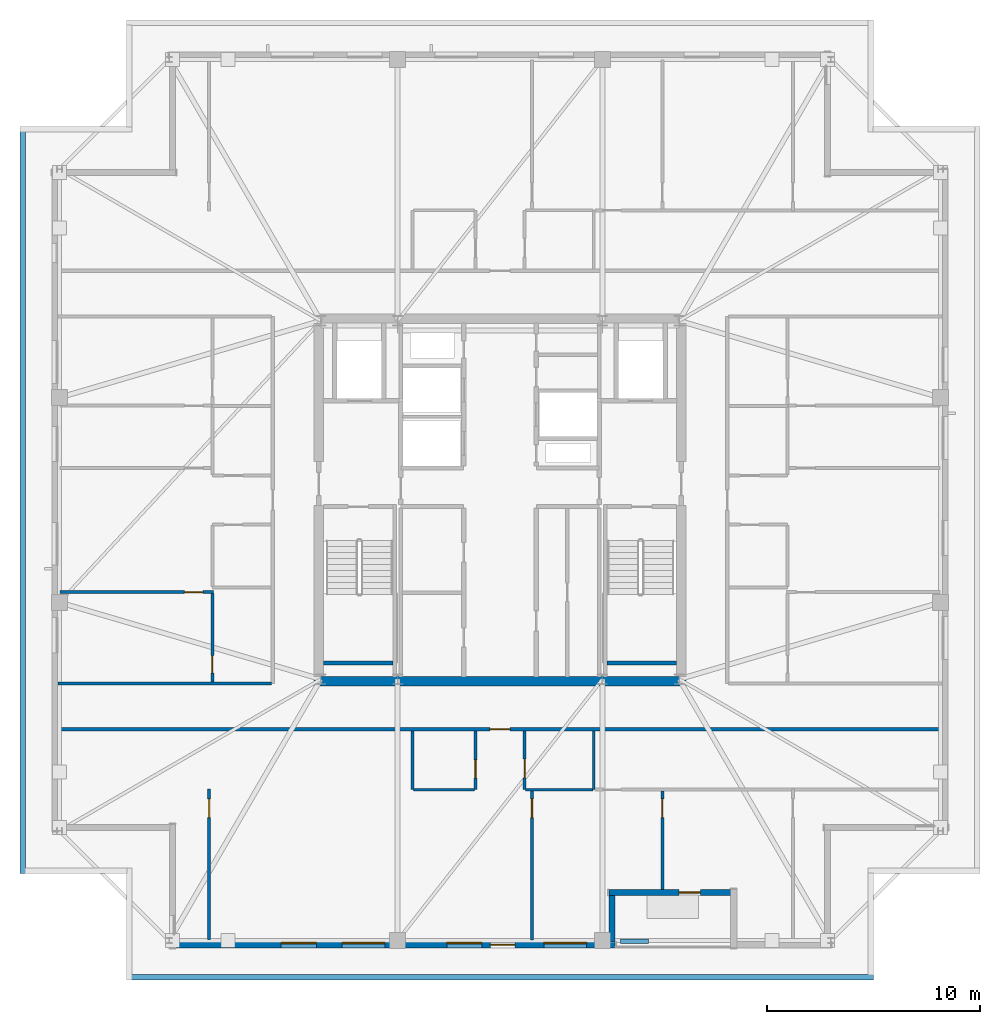
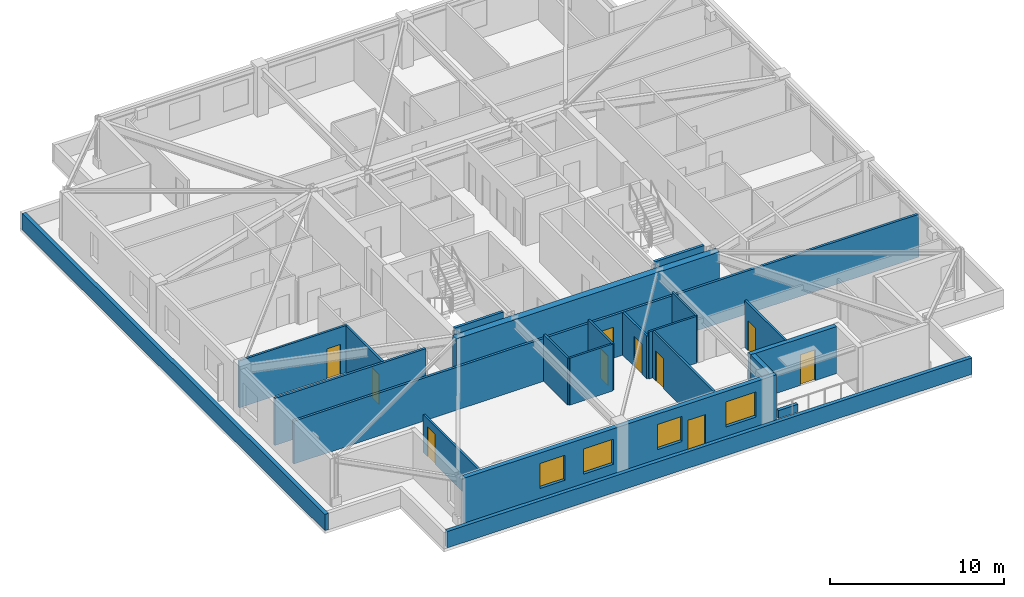
# One storey, part 7 of 15: 22 walls, 10 doors, 4 windows, 14 openings.
"""IFC4 building model written with IfcOpenShell, lengths in metres."""

from ifc_helpers import new_model, si_unit, direction, frame, frame_2d, origin, place, context, subcontext, project, spatial, rectangle, extrude, material, layer, layer_set, type_object, element, fill, save


model = new_model("IFC4")

# Units and contexts
model_context = context("Model", 3, precision=1e-05, world=origin(), true_north=direction((0.0, 1.0)))
body_context = subcontext(model_context, "Body", "Model", "MODEL_VIEW")
ifc_project = project(units=[si_unit("LENGTHUNIT", "METRE"), si_unit("AREAUNIT", "SQUARE_METRE"), si_unit("VOLUMEUNIT", "CUBIC_METRE"), si_unit("PLANEANGLEUNIT", "RADIAN"), si_unit("MASSUNIT", "GRAM", prefix="KILO")], contexts=[model_context])

# Site, building, storey
site_placement = place(None, origin())
site = spatial("IfcSite", under=ifc_project, at=site_placement, CompositionType="ELEMENT")
building_placement = place(site_placement, origin())
building = spatial("IfcBuilding", under=site, at=building_placement, Name="Cairnveth Concourse Tower", CompositionType="ELEMENT")
storey_placement = place(building_placement, frame((0.0, 0.0, 280.5)))
storey = spatial("IfcBuildingStorey", under=building, at=storey_placement, Name="L77", CompositionType="ELEMENT", Elevation=280.5)

# Wall, opening, door
ifc_material_1 = material(Name="Gypsum Plasterboard Partition", Category="gypsum")
ifc_layer_1 = layer(ifc_material_1, 0.159912109375)
ifc_layer_set_1 = layer_set([ifc_layer_1], Name="Gypsum Plasterboard Partition")
wall_type_1 = type_object("IfcWallType", Name="ACOUSTIC PARTY WALL 180", PredefinedType="PARTITIONING", material=ifc_layer_set_1)
wall_1_placement = place(storey_placement, frame((31.284912109375, 28.25, 0.0), z_axis=(0.0, 0.0, 1.0), x_axis=(1.0, 0.0, 0.0)))
wall_1 = element("IfcWall", 1, at=wall_1_placement, inside=storey, type_object=wall_type_1, Name="Interior Wall IW-L77-036", PredefinedType="PARTITIONING", context=body_context, shape_type="SweptSolid", body=[
    extrude(rectangle(XDim=41.43017578125, YDim=0.159912109375, at=frame_2d((20.715087890625, 0.0))), origin(), (0.0, 0.0, 1.0), 3.009033203125),
])
opening_1_placement = place(wall_1_placement, frame((20.235107421875, 0.0, 0.0)))
opening_1 = element("IfcOpeningElement", 2, at=opening_1_placement, cuts=wall_1, Name="Opening ID10", PredefinedType="OPENING", context=body_context, shape_type="SweptSolid", body=[
    extrude(rectangle(XDim=0.9599609375, YDim=2.179931640625, at=frame_2d((0.47998046875, 1.08984375))), frame((0.0, 0.08984375, 0.0), z_axis=(0.0, -1.0, 0.0), x_axis=(1.0, 0.0, 0.0)), (0.0, 0.0, 1.0), 0.179931640625),
])
ifc_material_2 = material(Name="Solid Core Hardwood Timber Leaf", Category="wood")
door_type_1 = type_object("IfcDoorType", Name="FLAT ENTRANCE DOOR 960X2150", OperationType="NOTDEFINED", PredefinedType="DOOR", material=ifc_material_2)
door_1_placement = place(opening_1_placement, origin())
door_1 = element("IfcDoor", 3, at=door_1_placement, inside=storey, type_object=door_type_1, Name="Penthouse L77PS1 Entrance Door", OperationType="SINGLE_SWING_LEFT", OverallHeight=2.179931640625, OverallWidth=0.9599609375, PredefinedType="DOOR", context=body_context, shape_type="SweptSolid", body=[
    extrude(rectangle(XDim=0.9599609375, YDim=2.179931640625, at=frame_2d((0.47998046875, 1.08984375))), frame((0.0, 0.02490234375, 0.0), z_axis=(0.0, -1.0, 0.0), x_axis=(1.0, 0.0, 0.0)), (0.0, 0.0, 1.0), 0.050048828125),
])
fill(opening_1, door_1)

# Walls
wall_2_placement = place(storey_placement, frame((31.284912109375, 30.39990234375, 0.0), z_axis=(0.0, 0.0, 1.0), x_axis=(1.0, 0.0, 0.0)))
element("IfcWall", 4, at=wall_2_placement, inside=storey, type_object=wall_type_1, Name="Interior Wall IW-L77-040", PredefinedType="PARTITIONING", context=body_context, shape_type="SweptSolid", body=[
    extrude(rectangle(XDim=10.0, YDim=0.159912109375, at=frame_2d((5.0, 0.0))), origin(), (0.0, 0.0, 1.0), 3.2900390625),
])
ifc_material_3 = material(Name="Concrete N65 (65 MPa)", Category="concrete")
ifc_layer_2 = layer(ifc_material_3, 0.449951171875)
ifc_layer_set_2 = layer_set([ifc_layer_2], Name="Concrete N65 (65 MPa)")
wall_type_2 = type_object("IfcWallType", Name="CORE SHEAR WALL 450", PredefinedType="SHEAR", material=ifc_layer_set_2)
wall_3_placement = place(storey_placement, frame((43.27490234375, 30.5, 0.0), z_axis=(0.0, 0.0, 1.0), x_axis=(1.0, 0.0, 0.0)))
element("IfcWall", 5, at=wall_3_placement, inside=storey, type_object=wall_type_2, Name="Core South Shear Wall L77", PredefinedType="SHEAR", context=body_context, shape_type="SweptSolid", body=[
    extrude(rectangle(XDim=17.4501953125, YDim=0.449951171875, at=frame_2d((8.72509765625, 0.0))), origin(), (0.0, 0.0, 1.0), 3.2900390625),
])
ifc_material_4 = material(Name="Concrete N50 (50 MPa)", Category="concrete")
ifc_layer_3 = layer(ifc_material_4, 0.179931640625)
ifc_layer_set_3 = layer_set([ifc_layer_3], Name="Concrete N50 (50 MPa)")
wall_type_3 = type_object("IfcWallType", Name="FIRE SHAFT WALL 180", PredefinedType="SOLIDWALL", material=ifc_layer_set_3)
for number, where, z_axis, x_axis, name in (
    (6, (43.715087890625, 31.360107421875, 0.0), (0.0, 0.0, 1.0), (1.0, 0.0, 0.0), "Stair ST-1 Shaft Wall FAR L77"),
    (7, (57.0048828125, 31.360107421875, 0.0), (0.0, 0.0, 1.0), (1.0, 0.0, 0.0), "Stair ST-2 Shaft Wall FAR L77"),
):
    element("IfcWall", number, at=place(storey_placement, frame(where, z_axis=z_axis, x_axis=x_axis)), inside=storey, type_object=wall_type_3, Name=name, PredefinedType="SOLIDWALL", context=body_context, shape_type="SweptSolid", body=[
        extrude(rectangle(XDim=3.280029296875, YDim=0.179931640625, at=frame_2d((1.64013671875, 0.0))), origin(), (0.0, 0.0, 1.0), 3.2900390625),
    ])

# Wall, opening, door
ifc_layer_4 = layer(ifc_material_1, 0.139892578125)
ifc_layer_set_4 = layer_set([ifc_layer_4], Name="Gypsum Plasterboard Partition")
wall_type_4 = type_object("IfcWallType", Name="GYPSUM STUD PARTITION 140", PredefinedType="PARTITIONING", material=ifc_layer_set_4)
wall_4_placement = place(storey_placement, frame((38.3701171875, 18.3798828125, 0.0), z_axis=(0.0, 0.0, 1.0), x_axis=(0.0, 1.0, 0.0)))
wall_4 = element("IfcWall", 8, at=wall_4_placement, inside=storey, type_object=wall_type_4, Name="Interior Wall IW-L77-050", PredefinedType="PARTITIONING", context=body_context, shape_type="SweptSolid", body=[
    extrude(rectangle(XDim=7.080078125, YDim=0.139892578125, at=frame_2d((3.5400390625, 0.0))), origin(), (0.0, 0.0, 1.0), 2.653076171875),
])
opening_2_placement = place(wall_4_placement, frame((5.72998046875, 0.0, 0.0)))
opening_2 = element("IfcOpeningElement", 9, at=opening_2_placement, cuts=wall_4, Name="Opening ID18", PredefinedType="OPENING", context=body_context, shape_type="SweptSolid", body=[
    extrude(rectangle(XDim=0.8798828125, YDim=2.10009765625, at=frame_2d((0.43994140625, 1.050048828125))), frame((0.0, 0.079833984375, 0.0), z_axis=(0.0, -1.0, 0.0), x_axis=(1.0, 0.0, 0.0)), (0.0, 0.0, 1.0), 0.159912109375),
])
door_type_2 = type_object("IfcDoorType", Name="INTERIOR SINGLE DOOR 880X2100", OperationType="NOTDEFINED", PredefinedType="DOOR", material=ifc_material_2)
door_2_placement = place(opening_2_placement, origin())
door_2 = element("IfcDoor", 10, at=door_2_placement, inside=storey, type_object=door_type_2, Name="L77PS1 Master Bedroom Door", OperationType="SINGLE_SWING_RIGHT", OverallHeight=2.10009765625, OverallWidth=0.8798828125, PredefinedType="DOOR", context=body_context, shape_type="SweptSolid", body=[
    extrude(rectangle(XDim=0.8798828125, YDim=2.10009765625, at=frame_2d((0.43994140625, 1.050048828125))), frame((0.0, 0.02490234375, 0.0), z_axis=(0.0, -1.0, 0.0), x_axis=(1.0, 0.0, 0.0)), (0.0, 0.0, 1.0), 0.050048828125),
])
fill(opening_2, door_2)

wall_5_placement = place(storey_placement, frame((53.5, 18.3798828125, 0.0), z_axis=(0.0, 0.0, 1.0), x_axis=(0.0, 1.0, 0.0)))
wall_5 = element("IfcWall", 11, at=wall_5_placement, inside=storey, type_object=wall_type_4, Name="Interior Wall IW-L77-053", PredefinedType="PARTITIONING", context=body_context, shape_type="SweptSolid", body=[
    extrude(rectangle(XDim=6.990234375, YDim=0.139892578125, at=frame_2d((3.4951171875, 0.0))), origin(), (0.0, 0.0, 1.0), 3.2900390625),
])
opening_3_placement = place(wall_5_placement, frame((5.72998046875, 0.0, 0.0)))
opening_3 = element("IfcOpeningElement", 12, at=opening_3_placement, cuts=wall_5, Name="Opening ID18", PredefinedType="OPENING", context=body_context, shape_type="SweptSolid", body=[
    extrude(rectangle(XDim=0.8798828125, YDim=2.10009765625, at=frame_2d((0.43994140625, 1.050048828125))), frame((0.0, 0.079833984375, 0.0), z_axis=(0.0, -1.0, 0.0), x_axis=(1.0, 0.0, 0.0)), (0.0, 0.0, 1.0), 0.159912109375),
])
door_3_placement = place(opening_3_placement, origin())
door_3 = element("IfcDoor", 13, at=door_3_placement, inside=storey, type_object=door_type_2, Name="L77PS1 Media Lounge Door", OperationType="SINGLE_SWING_LEFT", OverallHeight=2.10009765625, OverallWidth=0.8798828125, PredefinedType="DOOR", context=body_context, shape_type="SweptSolid", body=[
    extrude(rectangle(XDim=0.8798828125, YDim=2.10009765625, at=frame_2d((0.43994140625, 1.050048828125))), frame((0.0, 0.02490234375, 0.0), z_axis=(0.0, -1.0, 0.0), x_axis=(1.0, 0.0, 0.0)), (0.0, 0.0, 1.0), 0.050048828125),
])
fill(opening_3, door_3)

wall_6_placement = place(storey_placement, frame((59.614990234375, 20.735107421875, 0.0), z_axis=(0.0, 0.0, 1.0), x_axis=(0.0, 1.0, 0.0)))
wall_6 = element("IfcWall", 14, at=wall_6_placement, inside=storey, type_object=wall_type_4, Name="Interior Wall IW-L77-054", PredefinedType="PARTITIONING", context=body_context, shape_type="SweptSolid", body=[
    extrude(rectangle(XDim=4.6298828125, YDim=0.139892578125, at=frame_2d((2.31494140625, 0.0))), origin(), (0.0, 0.0, 1.0), 3.2900390625),
])
opening_4_placement = place(wall_6_placement, frame((3.375, 0.0, 0.0)))
opening_4 = element("IfcOpeningElement", 15, at=opening_4_placement, cuts=wall_6, Name="Opening ID18", PredefinedType="OPENING", context=body_context, shape_type="SweptSolid", body=[
    extrude(rectangle(XDim=0.8798828125, YDim=2.10009765625, at=frame_2d((0.43994140625, 1.050048828125))), frame((0.0, 0.079833984375, 0.0), z_axis=(0.0, -1.0, 0.0), x_axis=(1.0, 0.0, 0.0)), (0.0, 0.0, 1.0), 0.159912109375),
])
door_4_placement = place(opening_4_placement, origin())
door_4 = element("IfcDoor", 16, at=door_4_placement, inside=storey, type_object=door_type_2, Name="L77PS1 Library Salon Door", OperationType="SINGLE_SWING_RIGHT", OverallHeight=2.10009765625, OverallWidth=0.8798828125, PredefinedType="DOOR", context=body_context, shape_type="SweptSolid", body=[
    extrude(rectangle(XDim=0.8798828125, YDim=2.10009765625, at=frame_2d((0.43994140625, 1.050048828125))), frame((0.0, 0.02490234375, 0.0), z_axis=(0.0, -1.0, 0.0), x_axis=(1.0, 0.0, 0.0)), (0.0, 0.0, 1.0), 0.050048828125),
])
fill(opening_4, door_4)

wall_7_placement = place(storey_placement, frame((31.3798828125, 34.679931640625, 0.0), z_axis=(0.0, 0.0, 1.0), x_axis=(1.0, 0.0, 0.0)))
wall_7 = element("IfcWall", 17, at=wall_7_placement, inside=storey, type_object=wall_type_4, Name="Interior Wall IW-L77-072", PredefinedType="PARTITIONING", context=body_context, shape_type="SweptSolid", body=[
    extrude(rectangle(XDim=7.18017578125, YDim=0.139892578125, at=frame_2d((3.590087890625, 0.0))), origin(), (0.0, 0.0, 1.0), 3.2900390625),
])
opening_5_placement = place(wall_7_placement, frame((5.830078125, 0.0, 0.0)))
opening_5 = element("IfcOpeningElement", 18, at=opening_5_placement, cuts=wall_7, Name="Opening ID18", PredefinedType="OPENING", context=body_context, shape_type="SweptSolid", body=[
    extrude(rectangle(XDim=0.8798828125, YDim=2.10009765625, at=frame_2d((0.43994140625, 1.050048828125))), frame((0.0, 0.079833984375, 0.0), z_axis=(0.0, -1.0, 0.0), x_axis=(1.0, 0.0, 0.0)), (0.0, 0.0, 1.0), 0.159912109375),
])
door_5_placement = place(opening_5_placement, origin())
door_5 = element("IfcDoor", 19, at=door_5_placement, inside=storey, type_object=door_type_2, Name="L77PW1 Master Bedroom Door", OperationType="SINGLE_SWING_LEFT", OverallHeight=2.10009765625, OverallWidth=0.8798828125, PredefinedType="DOOR", context=body_context, shape_type="SweptSolid", body=[
    extrude(rectangle(XDim=0.8798828125, YDim=2.10009765625, at=frame_2d((0.43994140625, 1.050048828125))), frame((0.0, 0.02490234375, 0.0), z_axis=(0.0, -1.0, 0.0), x_axis=(1.0, 0.0, 0.0)), (0.0, 0.0, 1.0), 0.050048828125),
])
fill(opening_5, door_5)

wall_8_placement = place(storey_placement, frame((38.52001953125, 30.465087890625, 0.0), z_axis=(0.0, 0.0, 1.0), x_axis=(0.0, 1.0, 0.0)))
wall_8 = element("IfcWall", 20, at=wall_8_placement, inside=storey, type_object=wall_type_4, Name="Interior Wall IW-L77-073", PredefinedType="PARTITIONING", context=body_context, shape_type="SweptSolid", body=[
    extrude(rectangle(XDim=4.159912109375, YDim=0.139892578125, at=frame_2d((2.080078125, 0.0))), origin(), (0.0, 0.0, 1.0), 3.2900390625),
])
opening_6_placement = place(wall_8_placement, frame((0.4150390625, 0.0, 0.0)))
opening_6 = element("IfcOpeningElement", 21, at=opening_6_placement, cuts=wall_8, Name="Opening ID22", PredefinedType="OPENING", context=body_context, shape_type="SweptSolid", body=[
    extrude(rectangle(XDim=0.820068359375, YDim=2.10009765625, at=frame_2d((0.41015625, 1.050048828125))), frame((0.0, 0.079833984375, 0.0), z_axis=(0.0, -1.0, 0.0), x_axis=(1.0, 0.0, 0.0)), (0.0, 0.0, 1.0), 0.159912109375),
])
door_type_3 = type_object("IfcDoorType", Name="INTERIOR WC DOOR 820X2100", OperationType="NOTDEFINED", PredefinedType="DOOR", material=ifc_material_2)
door_6_placement = place(opening_6_placement, origin())
door_6 = element("IfcDoor", 22, at=door_6_placement, inside=storey, type_object=door_type_3, Name="L77PW1 Dressing Door", OperationType="SINGLE_SWING_RIGHT", OverallHeight=2.10009765625, OverallWidth=0.820068359375, PredefinedType="DOOR", context=body_context, shape_type="SweptSolid", body=[
    extrude(rectangle(XDim=0.820068359375, YDim=2.10009765625, at=frame_2d((0.41015625, 1.050048828125))), frame((0.0, 0.02490234375, 0.0), z_axis=(0.0, -1.0, 0.0), x_axis=(1.0, 0.0, 0.0)), (0.0, 0.0, 1.0), 0.050048828125),
])
fill(opening_6, door_6)

# Walls
ifc_material_5 = material(Name="Hawthorn Red-Ochre Fired Clay Brick Masonry", Category="masonry")
ifc_layer_5 = layer(ifc_material_5, 0.25)
ifc_layer_set_5 = layer_set([ifc_layer_5], Name="Hawthorn Red-Ochre Fired Clay Brick Masonry")
wall_type_5 = type_object("IfcWallType", Name="ROOF MASONRY PARAPET WALL 250", PredefinedType="PARAPET", material=ifc_layer_set_5)
for number, where, z_axis, x_axis, name in (
    (23, (29.625, 21.5, 0.0), (0.0, 0.0, 1.0), (0.0, 1.0, 0.0), "Exterior Wall EP-L77-SB02"),
    (24, (69.5, 16.625, 0.0), (0.0, 0.0, 1.0), (-1.0, 0.0, 0.0), "Exterior Wall EP-L77-SB11"),
):
    element("IfcWall", number, at=place(storey_placement, frame(where, z_axis=z_axis, x_axis=x_axis)), inside=storey, type_object=wall_type_5, Name=name, PredefinedType="PARAPET", context=body_context, shape_type="SweptSolid", body=[
        extrude(rectangle(XDim=34.77197265625, YDim=0.25, at=frame_2d((17.385986328125, 0.0))), origin(), (0.0, 0.0, 1.0), 1.14990234375),
    ])
ifc_material_6 = material(Name="Dressed Melbourne Bluestone Cladding", Category="masonry")
ifc_layer_6 = layer(ifc_material_6, 0.219970703125)
ifc_layer_set_6 = layer_set([ifc_layer_6], Name="Dressed Melbourne Bluestone Cladding")
wall_type_6 = type_object("IfcWallType", Name="TERRACE PLANTER CURB WALL 220", PredefinedType="PARAPET", material=ifc_layer_set_6)
wall_9_placement = place(storey_placement, frame((57.64990234375, 18.320068359375, 0.0), z_axis=(0.0, 0.0, 1.0), x_axis=(1.0, 0.0, 0.0)))
element("IfcWall", 25, at=wall_9_placement, inside=storey, type_object=wall_type_6, Name="Exterior Wall PLNT-L77-TERR", PredefinedType="PARAPET", context=body_context, shape_type="SweptSolid", body=[
    extrude(rectangle(XDim=1.300048828125, YDim=0.219970703125, at=frame_2d((0.64990234375, 0.0))), origin(), (0.0, 0.0, 1.0), 0.550048828125),
])
ifc_layer_7 = layer(ifc_material_1, 0.1298828125)
ifc_layer_set_7 = layer_set([ifc_layer_7], Name="Gypsum Plasterboard Partition")
wall_type_7 = type_object("IfcWallType", Name="WET AREA PARTITION 140", PredefinedType="PLUMBINGWALL", material=ifc_layer_set_7)
wall_10_placement = place(storey_placement, frame((47.89990234375, 25.419921875, 0.0), z_axis=(0.0, 0.0, 1.0), x_axis=(0.0, 1.0, 0.0)))
element("IfcWall", 26, at=wall_10_placement, inside=storey, type_object=wall_type_7, Name="Interior Wall IW-L77-044", PredefinedType="PLUMBINGWALL", context=body_context, shape_type="SweptSolid", body=[
    extrude(rectangle(XDim=2.75, YDim=0.1298828125, at=frame_2d((1.375, 0.0))), origin(), (0.0, 0.0, 1.0), 3.2900390625),
])

# Wall, opening, door
wall_11_placement = place(storey_placement, frame((50.85009765625, 25.419921875, 0.0), z_axis=(0.0, 0.0, 1.0), x_axis=(0.0, 1.0, 0.0)))
wall_11 = element("IfcWall", 27, at=wall_11_placement, inside=storey, type_object=wall_type_7, Name="Interior Wall IW-L77-045", PredefinedType="PLUMBINGWALL", context=body_context, shape_type="SweptSolid", body=[
    extrude(rectangle(XDim=2.75, YDim=0.1298828125, at=frame_2d((1.375, 0.0))), origin(), (0.0, 0.0, 1.0), 3.2900390625),
])
opening_7_placement = place(wall_11_placement, frame((0.550048828125, 0.0, 0.0)))
opening_7 = element("IfcOpeningElement", 28, at=opening_7_placement, cuts=wall_11, Name="Opening ID21", PredefinedType="OPENING", context=body_context, shape_type="SweptSolid", body=[
    extrude(rectangle(XDim=0.85009765625, YDim=2.080078125, at=frame_2d((0.425048828125, 1.0400390625))), frame((0.0, 0.074951171875, 0.0), z_axis=(0.0, -1.0, 0.0), x_axis=(1.0, 0.0, 0.0)), (0.0, 0.0, 1.0), 0.14990234375),
])
door_type_4 = type_object("IfcDoorType", Name="INTERIOR WC DOOR 850X2100", OperationType="NOTDEFINED", PredefinedType="DOOR", material=ifc_material_2)
door_7_placement = place(opening_7_placement, origin())
door_7 = element("IfcDoor", 29, at=door_7_placement, inside=storey, type_object=door_type_4, Name="L77PS1 Bathroom Door", OperationType="SINGLE_SWING_RIGHT", OverallHeight=2.080078125, OverallWidth=0.85009765625, PredefinedType="DOOR", context=body_context, shape_type="SweptSolid", body=[
    extrude(rectangle(XDim=0.85009765625, YDim=2.080078125, at=frame_2d((0.425048828125, 1.0400390625))), frame((0.0, 0.02490234375, 0.0), z_axis=(0.0, -1.0, 0.0), x_axis=(1.0, 0.0, 0.0)), (0.0, 0.0, 1.0), 0.050048828125),
])
fill(opening_7, door_7)

# Walls
wall_12_placement = place(storey_placement, frame((47.949951171875, 25.419921875, 0.0), z_axis=(0.0, 0.0, 1.0), x_axis=(1.0, 0.0, 0.0)))
element("IfcWall", 30, at=wall_12_placement, inside=storey, type_object=wall_type_7, Name="Interior Wall IW-L77-046", PredefinedType="PLUMBINGWALL", context=body_context, shape_type="SweptSolid", body=[
    extrude(rectangle(XDim=2.85009765625, YDim=0.1298828125, at=frame_2d((1.425048828125, 0.0))), origin(), (0.0, 0.0, 1.0), 3.2900390625),
])
wall_13_placement = place(storey_placement, frame((56.39990234375, 25.419921875, 0.0), z_axis=(0.0, 0.0, 1.0), x_axis=(0.0, 1.0, 0.0)))
element("IfcWall", 31, at=wall_13_placement, inside=storey, type_object=wall_type_7, Name="Interior Wall IW-L77-047", PredefinedType="PLUMBINGWALL", context=body_context, shape_type="SweptSolid", body=[
    extrude(rectangle(XDim=2.75, YDim=0.1298828125, at=frame_2d((1.375, 0.0))), origin(), (0.0, 0.0, 1.0), 3.2900390625),
])

# Wall, opening, door
wall_14_placement = place(storey_placement, frame((53.14990234375, 25.419921875, 0.0), z_axis=(0.0, 0.0, 1.0), x_axis=(0.0, 1.0, 0.0)))
wall_14 = element("IfcWall", 32, at=wall_14_placement, inside=storey, type_object=wall_type_7, Name="Interior Wall IW-L77-048", PredefinedType="PLUMBINGWALL", context=body_context, shape_type="SweptSolid", body=[
    extrude(rectangle(XDim=2.75, YDim=0.1298828125, at=frame_2d((1.375, 0.0))), origin(), (0.0, 0.0, 1.0), 3.009033203125),
])
opening_8_placement = place(wall_14_placement, frame((0.550048828125, 0.0, 0.0)))
opening_8 = element("IfcOpeningElement", 33, at=opening_8_placement, cuts=wall_14, Name="Opening ID18", PredefinedType="OPENING", context=body_context, shape_type="SweptSolid", body=[
    extrude(rectangle(XDim=0.8798828125, YDim=2.10009765625, at=frame_2d((0.43994140625, 1.050048828125))), frame((0.0, 0.074951171875, 0.0), z_axis=(0.0, -1.0, 0.0), x_axis=(1.0, 0.0, 0.0)), (0.0, 0.0, 1.0), 0.14990234375),
])
door_8_placement = place(opening_8_placement, origin())
door_8 = element("IfcDoor", 34, at=door_8_placement, inside=storey, type_object=door_type_2, Name="L77PS1 Kitchen Door", OperationType="SINGLE_SWING_LEFT", OverallHeight=2.10009765625, OverallWidth=0.8798828125, PredefinedType="DOOR", context=body_context, shape_type="SweptSolid", body=[
    extrude(rectangle(XDim=0.8798828125, YDim=2.10009765625, at=frame_2d((0.43994140625, 1.050048828125))), frame((0.0, 0.02490234375, 0.0), z_axis=(0.0, -1.0, 0.0), x_axis=(1.0, 0.0, 0.0)), (0.0, 0.0, 1.0), 0.050048828125),
])
fill(opening_8, door_8)

# Wall
wall_15_placement = place(storey_placement, frame((53.199951171875, 25.419921875, 0.0), z_axis=(0.0, 0.0, 1.0), x_axis=(1.0, 0.0, 0.0)))
element("IfcWall", 35, at=wall_15_placement, inside=storey, type_object=wall_type_7, Name="Interior Wall IW-L77-049", PredefinedType="PLUMBINGWALL", context=body_context, shape_type="SweptSolid", body=[
    extrude(rectangle(XDim=3.150146484375, YDim=0.1298828125, at=frame_2d((1.5751953125, 0.0))), origin(), (0.0, 0.0, 1.0), 3.2900390625),
])

# Wall, openings, windows, door
ifc_layer_8 = layer(ifc_material_5, 0.300048828125)
ifc_layer_set_8 = layer_set([ifc_layer_8], Name="Hawthorn Red-Ochre Fired Clay Brick Masonry")
wall_type_8 = type_object("IfcWallType", Name="ZONE 4 BRICK PIER SPANDREL WALL 300", PredefinedType="SOLIDWALL", material=ifc_layer_set_8)
wall_16_placement = place(storey_placement, frame((57.39990234375, 18.14990234375, 0.0), z_axis=(0.0, 0.0, 1.0), x_axis=(-1.0, 0.0, 0.0)))
wall_16 = element("IfcWall", 36, at=wall_16_placement, inside=storey, type_object=wall_type_8, Name="Exterior Wall EW-L77-S00", PredefinedType="SOLIDWALL", context=body_context, shape_type="SweptSolid", body=[
    extrude(rectangle(XDim=20.621826171875, YDim=0.300048828125, at=frame_2d((10.31103515625, 0.0))), origin(), (0.0, 0.0, 1.0), 3.2900390625),
])
opening_9_placement = place(wall_16_placement, frame((1.340087890625, 0.0, 0.800048828125)))
opening_9 = element("IfcOpeningElement", 37, at=opening_9_placement, cuts=wall_16, Name="Opening W09", PredefinedType="OPENING", context=body_context, shape_type="SweptSolid", body=[
    extrude(rectangle(XDim=2.0, YDim=1.758056640625, at=frame_2d((1.0, 0.87890625))), frame((0.0, 0.159912109375, 0.0), z_axis=(0.0, -1.0, 0.0), x_axis=(1.0, 0.0, 0.0)), (0.0, 0.0, 1.0), 0.320068359375),
])
opening_10_placement = place(wall_16_placement, frame((6.24560546875, 0.0, 0.800048828125)))
opening_10 = element("IfcOpeningElement", 38, at=opening_10_placement, cuts=wall_16, Name="Opening W04", PredefinedType="OPENING", context=body_context, shape_type="SweptSolid", body=[
    extrude(rectangle(XDim=1.64990234375, YDim=1.758056640625, at=frame_2d((0.824951171875, 0.87890625))), frame((0.0, 0.159912109375, 0.0), z_axis=(0.0, -1.0, 0.0), x_axis=(1.0, 0.0, 0.0)), (0.0, 0.0, 1.0), 0.320068359375),
])
opening_11_placement = place(wall_16_placement, frame((10.80126953125, 0.0, 0.800048828125)))
opening_11 = element("IfcOpeningElement", 39, at=opening_11_placement, cuts=wall_16, Name="Opening W09", PredefinedType="OPENING", context=body_context, shape_type="SweptSolid", body=[
    extrude(rectangle(XDim=2.0, YDim=1.758056640625, at=frame_2d((1.0, 0.87890625))), frame((0.0, 0.159912109375, 0.0), z_axis=(0.0, -1.0, 0.0), x_axis=(1.0, 0.0, 0.0)), (0.0, 0.0, 1.0), 0.320068359375),
])
opening_12_placement = place(wall_16_placement, frame((14.0068359375, 0.0, 0.800048828125)))
opening_12 = element("IfcOpeningElement", 40, at=opening_12_placement, cuts=wall_16, Name="Opening W04", PredefinedType="OPENING", context=body_context, shape_type="SweptSolid", body=[
    extrude(rectangle(XDim=1.64990234375, YDim=1.758056640625, at=frame_2d((0.824951171875, 0.87890625))), frame((0.0, 0.159912109375, 0.0), z_axis=(0.0, -1.0, 0.0), x_axis=(1.0, 0.0, 0.0)), (0.0, 0.0, 1.0), 0.320068359375),
])
opening_13_placement = place(wall_16_placement, frame((4.699951171875, 0.0, 0.0)))
opening_13 = element("IfcOpeningElement", 41, at=opening_13_placement, cuts=wall_16, Name="Opening ED3", PredefinedType="OPENING", context=body_context, shape_type="SweptSolid", body=[
    extrude(rectangle(XDim=1.14990234375, YDim=2.14990234375, at=frame_2d((0.574951171875, 1.074951171875))), frame((0.0, 0.159912109375, 0.0), z_axis=(0.0, -1.0, 0.0), x_axis=(1.0, 0.0, 0.0)), (0.0, 0.0, 1.0), 0.320068359375),
])
ifc_material_7 = material(Name="Double Glazed Low-E Clear Glass", Category="glass")
window_type_1 = type_object("IfcWindowType", Name="DEEP-SET GOTHIC LANCET WINDOW 1650X1850", PartitioningType="DOUBLE_PANEL_VERTICAL", PredefinedType="WINDOW", material=ifc_material_7)
window_1_placement = place(opening_10_placement, origin())
window_1 = element("IfcWindow", 42, at=window_1_placement, inside=storey, type_object=window_type_1, Name="Gothic Lancet Window L77-0-2", OverallHeight=1.758056640625, OverallWidth=1.64990234375, PartitioningType="SINGLE_PANEL", PredefinedType="WINDOW", context=body_context, shape_type="SweptSolid", body=[
    extrude(rectangle(XDim=1.64990234375, YDim=1.758056640625, at=frame_2d((0.824951171875, 0.87890625))), frame((0.0, -0.050048828125, 0.0), z_axis=(0.0, -1.0, 0.0), x_axis=(1.0, 0.0, 0.0)), (0.0, 0.0, 1.0), 0.06005859375),
])
fill(opening_10, window_1)
window_2_placement = place(opening_12_placement, origin())
window_2 = element("IfcWindow", 43, at=window_2_placement, inside=storey, type_object=window_type_1, Name="Gothic Lancet Window L77-0-4", OverallHeight=1.758056640625, OverallWidth=1.64990234375, PartitioningType="SINGLE_PANEL", PredefinedType="WINDOW", context=body_context, shape_type="SweptSolid", body=[
    extrude(rectangle(XDim=1.64990234375, YDim=1.758056640625, at=frame_2d((0.824951171875, 0.87890625))), frame((0.0, -0.050048828125, 0.0), z_axis=(0.0, -1.0, 0.0), x_axis=(1.0, 0.0, 0.0)), (0.0, 0.0, 1.0), 0.06005859375),
])
fill(opening_12, window_2)
window_type_2 = type_object("IfcWindowType", Name="DEEP-SET PENTHOUSE LANCET WINDOW 2000X1850", PartitioningType="DOUBLE_PANEL_VERTICAL", PredefinedType="WINDOW", material=ifc_material_7)
window_3_placement = place(opening_9_placement, origin())
window_3 = element("IfcWindow", 44, at=window_3_placement, inside=storey, type_object=window_type_2, Name="Gothic Lancet Window L77-0-1", OverallHeight=1.758056640625, OverallWidth=2.0, PartitioningType="SINGLE_PANEL", PredefinedType="WINDOW", context=body_context, shape_type="SweptSolid", body=[
    extrude(rectangle(XDim=2.0, YDim=1.758056640625, at=frame_2d((1.0, 0.87890625))), frame((0.0, -0.050048828125, 0.0), z_axis=(0.0, -1.0, 0.0), x_axis=(1.0, 0.0, 0.0)), (0.0, 0.0, 1.0), 0.06005859375),
])
fill(opening_9, window_3)
window_4_placement = place(opening_11_placement, origin())
window_4 = element("IfcWindow", 45, at=window_4_placement, inside=storey, type_object=window_type_2, Name="Gothic Lancet Window L77-0-3", OverallHeight=1.758056640625, OverallWidth=2.0, PartitioningType="SINGLE_PANEL", PredefinedType="WINDOW", context=body_context, shape_type="SweptSolid", body=[
    extrude(rectangle(XDim=2.0, YDim=1.758056640625, at=frame_2d((1.0, 0.87890625))), frame((0.0, -0.050048828125, 0.0), z_axis=(0.0, -1.0, 0.0), x_axis=(1.0, 0.0, 0.0)), (0.0, 0.0, 1.0), 0.06005859375),
])
fill(opening_11, window_4)
ifc_material_8 = material(Name="Architectural Bronze Anodised Aluminium 6063-T6", Category="aluminium")
door_type_5 = type_object("IfcDoorType", Name="FINAL EXIT DISCHARGE DOOR 1150X2150", OperationType="NOTDEFINED", PredefinedType="DOOR", material=ifc_material_8)
door_9_placement = place(opening_13_placement, origin())
door_9 = element("IfcDoor", 46, at=door_9_placement, inside=storey, type_object=door_type_5, Name="Setback Roof Maintenance Access Door L77", OperationType="SINGLE_SWING_LEFT", OverallHeight=2.14990234375, OverallWidth=1.14990234375, PredefinedType="DOOR", context=body_context, shape_type="SweptSolid", body=[
    extrude(rectangle(XDim=1.14990234375, YDim=2.14990234375, at=frame_2d((0.574951171875, 1.074951171875))), frame((0.0, 0.02490234375, 0.0), z_axis=(0.0, -1.0, 0.0), x_axis=(1.0, 0.0, 0.0)), (0.0, 0.0, 1.0), 0.050048828125),
])
fill(opening_13, door_9)

# Wall, opening, door
wall_17_placement = place(storey_placement, frame((62.822021484375, 20.60009765625, 0.0), z_axis=(0.0, 0.0, 1.0), x_axis=(-1.0, 0.0, 0.0)))
wall_17 = element("IfcWall", 47, at=wall_17_placement, inside=storey, type_object=wall_type_8, Name="Exterior Wall EW-L77-S14", PredefinedType="SOLIDWALL", context=body_context, shape_type="SweptSolid", body=[
    extrude(rectangle(XDim=5.721923828125, YDim=0.300048828125, at=frame_2d((2.86083984375, 0.0))), origin(), (0.0, 0.0, 1.0), 3.2900390625),
])
opening_14_placement = place(wall_17_placement, frame((1.428466796875, 0.0, 0.0)))
opening_14 = element("IfcOpeningElement", 48, at=opening_14_placement, cuts=wall_17, Name="Opening ED4", PredefinedType="OPENING", context=body_context, shape_type="SweptSolid", body=[
    extrude(rectangle(XDim=1.0, YDim=2.14990234375, at=frame_2d((0.5, 1.074951171875))), frame((0.0, 0.159912109375, 0.0), z_axis=(0.0, -1.0, 0.0), x_axis=(1.0, 0.0, 0.0)), (0.0, 0.0, 1.0), 0.320068359375),
])
door_type_6 = type_object("IfcDoorType", Name="TERRACE GLAZED DOOR 1000X2150", OperationType="NOTDEFINED", PredefinedType="DOOR", material=ifc_material_8)
door_10_placement = place(opening_14_placement, origin())
door_10 = element("IfcDoor", 49, at=door_10_placement, inside=storey, type_object=door_type_6, Name="Spiral Terrace Door L77", OperationType="SINGLE_SWING_RIGHT", OverallHeight=2.14990234375, OverallWidth=1.0, PredefinedType="DOOR", context=body_context, shape_type="SweptSolid", body=[
    extrude(rectangle(XDim=1.0, YDim=2.14990234375, at=frame_2d((0.5, 1.074951171875))), frame((0.0, 0.02490234375, 0.0), z_axis=(0.0, -1.0, 0.0), x_axis=(1.0, 0.0, 0.0)), (0.0, 0.0, 1.0), 0.050048828125),
])
fill(opening_14, door_10)

# Wall
wall_18_placement = place(storey_placement, frame((57.25, 20.471923828125, 0.0), z_axis=(0.0, 0.0, 1.0), x_axis=(0.0, -1.0, 0.0)))
element("IfcWall", 50, at=wall_18_placement, inside=storey, type_object=wall_type_8, Name="Exterior Wall EW-L77-S15", PredefinedType="SOLIDWALL", context=body_context, shape_type="SweptSolid", body=[
    extrude(rectangle(XDim=2.19384765625, YDim=0.300048828125, at=frame_2d((1.096923828125, 0.0))), origin(), (0.0, 0.0, 1.0), 3.2900390625),
])

save(model, "model.ifc")
